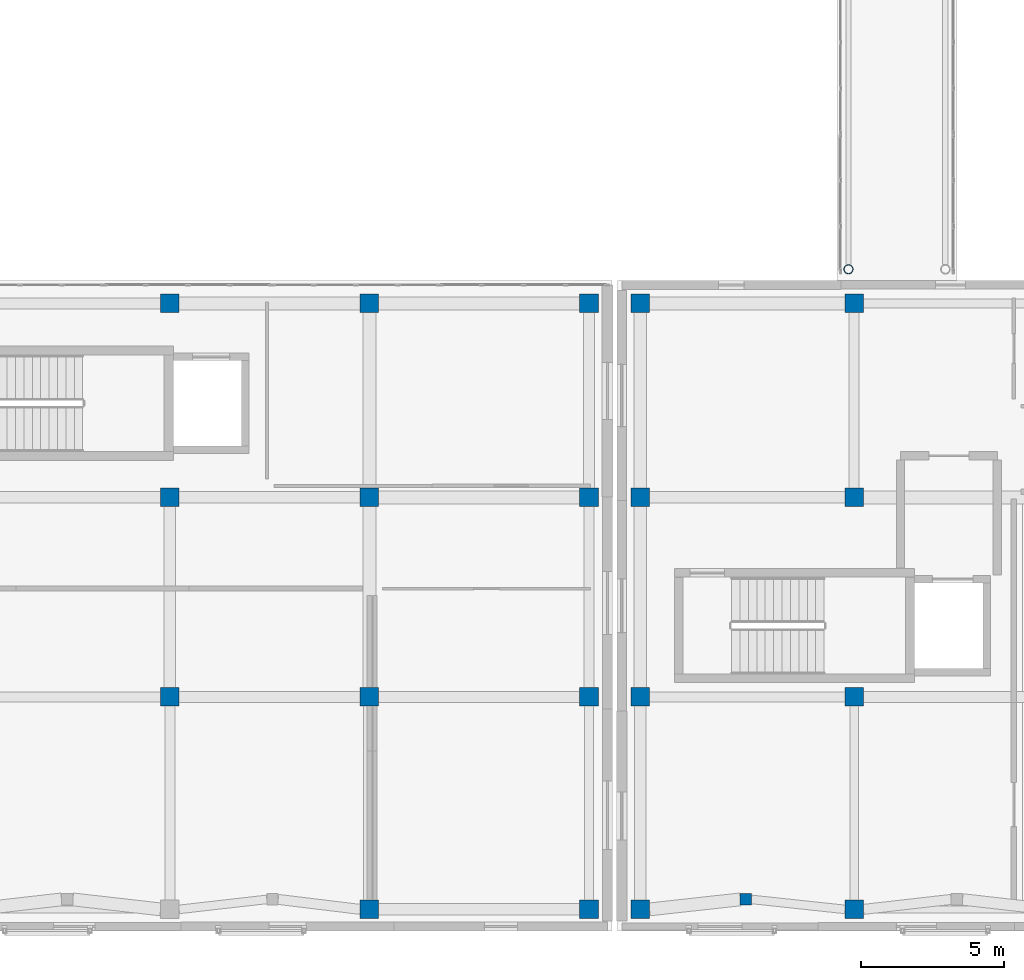
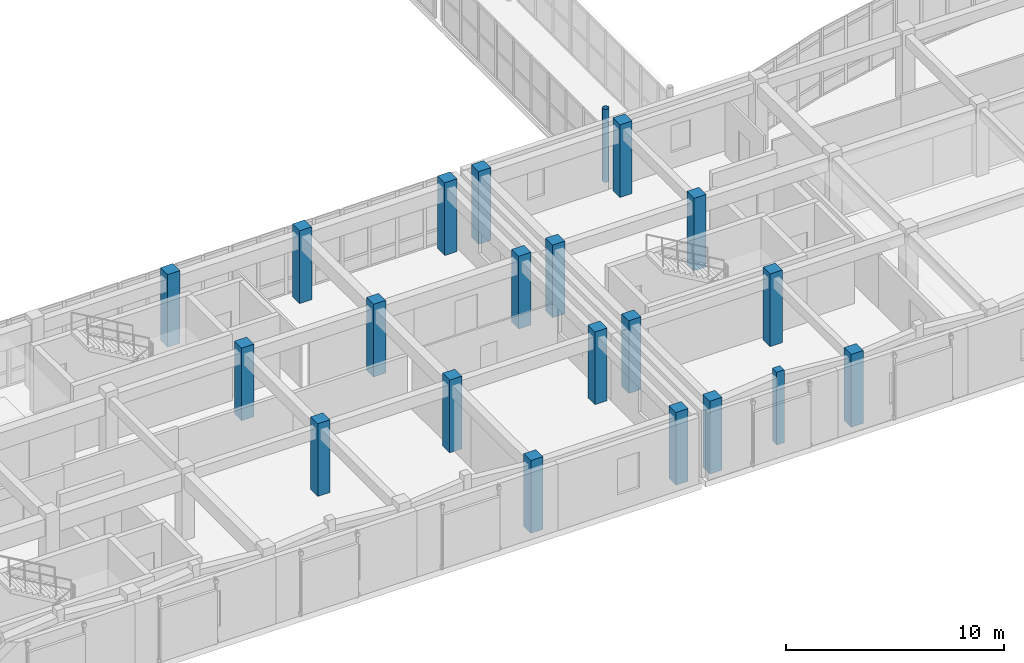
# One storey, part 2 of 146: 21 columns.
"""IFC4 building model written with IfcOpenShell, lengths in metres."""

import ifcopenshell
import ifcopenshell.guid

model = None  # the IFC model being written
_history = None  # IfcOwnerHistory: only IFC2X3 demands one
_inside = {}  # id of a spatial element -> (the spatial element, [elements in it])
_under = {}  # id of a project, library or spatial element -> (it, [spatial elements below it])
_declared = {}  # id of a project -> (the project, [libraries it declares])
_typed = {}  # id of a type object -> (the type object, [elements of that type])
_made_of = {}  # id of a material, layer set ... -> (it, [elements and type objects made of it])


def new_model(schema):
    """Start an empty IFC model of exactly this schema.

    Asked for "IFC4X3", IfcOpenShell would pick the latest addendum, in which some entities
    have other attributes; the version numbers below select the first issue.
    IFC2X3 requires an IfcOwnerHistory on every rooted entity: one is made here for all.
    """
    global model, _history
    if schema == "IFC4X3":
        model = ifcopenshell.file(schema_version=(4, 3, 0, 0))
    else:
        model = ifcopenshell.file(schema=schema)
    _inside.clear()
    _under.clear()
    _declared.clear()
    _typed.clear()
    _made_of.clear()
    _history = None
    if model.schema == "IFC2X3":
        org = make("IfcOrganization", Name="unknown")
        user = make(
            "IfcPersonAndOrganization",
            ThePerson=make("IfcPerson", FamilyName="unknown"),
            TheOrganization=org,
        )
        app = make(
            "IfcApplication",
            ApplicationDeveloper=org,
            Version="unknown",
            ApplicationFullName="unknown",
            ApplicationIdentifier="unknown",
        )
        _history = make(
            "IfcOwnerHistory",
            OwningUser=user,
            OwningApplication=app,
            ChangeAction="ADDED",
            CreationDate=0,
        )
    return model


def make(cls, **values):
    """One entity of the class cls with the attributes given. An attribute that is None is left unset."""
    return model.create_entity(
        cls, **{name: value for name, value in values.items() if value is not None}
    )


def rooted(cls, **values):
    """An entity with a GlobalId (a new one), such as an element, a storey or a relation."""
    return make(cls, GlobalId=ifcopenshell.guid.new(), OwnerHistory=_history, **values)


def si_unit(unit_type, name, prefix=None):
    """IfcSIUnit, for example si_unit("LENGTHUNIT", "METRE", prefix="MILLI")."""
    return make("IfcSIUnit", UnitType=unit_type, Prefix=prefix, Name=name)


def assignment(units):
    """IfcUnitAssignment: the units of a project."""
    return None if units is None else make("IfcUnitAssignment", Units=units)


def point(xyz):
    """IfcCartesianPoint."""
    return None if xyz is None else make("IfcCartesianPoint", Coordinates=xyz)


def direction(xyz):
    """IfcDirection."""
    return None if xyz is None else make("IfcDirection", DirectionRatios=xyz)


def frame(location, z_axis=None, x_axis=None):
    """IfcAxis2Placement3D, a coordinate frame: its origin and axes. An axis left out is left unset."""
    return make(
        "IfcAxis2Placement3D",
        Location=point(location),
        Axis=direction(z_axis),
        RefDirection=direction(x_axis),
    )


def frame_2d(location, x_axis=None):
    """IfcAxis2Placement2D, a coordinate frame in the plane: its origin and x axis."""
    return make(
        "IfcAxis2Placement2D", Location=point(location), RefDirection=direction(x_axis)
    )


def origin():
    """The frame at (0, 0, 0) with its axes left unset."""
    return frame((0.0, 0.0, 0.0))


def origin_2d():
    """The frame at (0, 0) in the plane with its x axis left unset."""
    return frame_2d((0.0, 0.0))


def place(relative_to, where):
    """IfcLocalPlacement: puts the frame where relative to a parent placement (None: the world)."""
    return make(
        "IfcLocalPlacement", PlacementRelTo=relative_to, RelativePlacement=where
    )


def context(
    kind, dimensions, precision=None, world=None, true_north=None, identifier=None
):
    """IfcGeometricRepresentationContext, for example the 3D "Model" context."""
    return make(
        "IfcGeometricRepresentationContext",
        ContextIdentifier=identifier,
        ContextType=kind,
        CoordinateSpaceDimension=dimensions,
        Precision=precision,
        WorldCoordinateSystem=world,
        TrueNorth=true_north,
    )


def subcontext(parent, identifier, kind, view, scale=None):
    """IfcGeometricRepresentationSubContext, for example "Body" below "Model"."""
    return make(
        "IfcGeometricRepresentationSubContext",
        ContextIdentifier=identifier,
        ContextType=kind,
        ParentContext=parent,
        TargetScale=scale,
        TargetView=view,
    )


def project(units=None, contexts=None):
    """IfcProject with its units and contexts."""
    return rooted(
        "IfcProject",
        Name="project",
        RepresentationContexts=contexts,
        UnitsInContext=assignment(units),
    )


def spatial(cls, under=None, at=None, **own):
    """A site, building, storey or space (cls), placed at a placement, below another one or the project."""
    s = rooted(cls, ObjectPlacement=at, **own)
    if under is not None:
        _under.setdefault(under.id(), (under, []))[1].append(s)
    return s


def profile(cls, at=None, kind="AREA", **sizes):
    """A parametric profile (cls). Its sizes go by their IFC names, for example OverallWidth=200.0."""
    return make(cls, ProfileType=kind, Position=at, **sizes)


def rectangle(**sizes):
    """IfcRectangleProfileDef."""
    return profile("IfcRectangleProfileDef", **sizes)


def hollow_circle(**sizes):
    """IfcCircleHollowProfileDef."""
    return profile("IfcCircleHollowProfileDef", **sizes)


def extrude(swept, where, along, depth):
    """IfcExtrudedAreaSolid: the profile swept, set in the frame where, extruded along a direction by depth."""
    return make(
        "IfcExtrudedAreaSolid",
        SweptArea=swept,
        Position=where,
        ExtrudedDirection=direction(along),
        Depth=depth,
    )


def shape(context_of_items, identifier, shape_type, items):
    """IfcShapeRepresentation: the items that make up one representation, for example the "Body"."""
    return make(
        "IfcShapeRepresentation",
        ContextOfItems=context_of_items,
        RepresentationIdentifier=identifier,
        RepresentationType=shape_type,
        Items=items,
    )


def material(Name=None, Category=None):
    """IfcMaterial."""
    return make("IfcMaterial", Name=Name, Category=Category)


def material_profile(
    of_material, cross_section, Name=None, Category=None, Priority=None
):
    """IfcMaterialProfile: a cross section and its material."""
    return make(
        "IfcMaterialProfile",
        Name=Name,
        Material=of_material,
        Profile=cross_section,
        Priority=Priority,
        Category=Category,
    )


def profile_set(profiles, Name=None, composite=None):
    """IfcMaterialProfileSet."""
    return make(
        "IfcMaterialProfileSet",
        Name=Name,
        MaterialProfiles=profiles,
        CompositeProfile=composite,
    )


def made_of(thing, what):
    """Note that an element or type object is made of a material, layer set ...; save() writes the relation."""
    if what is not None:
        _made_of.setdefault(what.id(), (what, []))[1].append(thing)
    return thing


def type_object(cls, material=None, **own):
    """A type object (cls), such as IfcWallType, which elements share."""
    return made_of(rooted(cls, **own), material)


def element(
    cls,
    number,
    at=None,
    inside=None,
    cuts=None,
    type_object=None,
    material=None,
    context=None,
    identifier="Body",
    shape_type=None,
    held_by="IfcProductDefinitionShape",
    body=None,
    shapes=None,
    **own,
):
    """One element of the class cls, such as IfcWall. Its Tag is "e" and its number.

    at: its placement. inside: the storey or other place that contains it. cuts: it is an
    opening in that element (IfcRelVoidsElement). A single representation is given by context,
    identifier, shape_type and body (its items); several are given by shapes. held_by: the class
    of the entity that holds the representations. save() writes the other relations.
    """
    e = rooted(cls, Tag="e%d" % number, ObjectPlacement=at, **own)
    if body is not None:
        shapes = [shape(context, identifier, shape_type, body)]
    if shapes is not None:
        e.Representation = make(held_by, Representations=shapes)
    if inside is not None:
        _inside.setdefault(inside.id(), (inside, []))[1].append(e)
    if cuts is not None:
        rooted(
            "IfcRelVoidsElement", RelatingBuildingElement=cuts, RelatedOpeningElement=e
        )
    if type_object is not None:
        _typed.setdefault(type_object.id(), (type_object, []))[1].append(e)
    return made_of(e, material)


def aggregate(whole, parts):
    """IfcRelAggregates: a whole, such as a stair, and the parts it consists of."""
    return rooted("IfcRelAggregates", RelatingObject=whole, RelatedObjects=parts)


def save(model, path):
    """Write the relations noted so far, then the file.

    IfcRelAggregates (storeys below a building ...), IfcRelContainedInSpatialStructure (elements
    in a storey), IfcRelDefinesByType, IfcRelAssociatesMaterial and IfcRelDeclares: one each for
    every whole, place, type object, material and project.
    """
    for whole, parts in _under.values():
        aggregate(whole, parts)
    for where, things in _inside.values():
        rooted(
            "IfcRelContainedInSpatialStructure",
            RelatedElements=things,
            RelatingStructure=where,
        )
    for kind, things in _typed.values():
        rooted("IfcRelDefinesByType", RelatedObjects=things, RelatingType=kind)
    for what, things in _made_of.values():
        rooted("IfcRelAssociatesMaterial", RelatedObjects=things, RelatingMaterial=what)
    for by, libraries in _declared.values():
        rooted("IfcRelDeclares", RelatingContext=by, RelatedDefinitions=libraries)
    model.write(path)


model = new_model("IFC4")

# Units and contexts
model_context = context("Model", 3, precision=1e-05, world=origin(), true_north=direction((0.0, 1.0)))
body_context = subcontext(model_context, "Body", "Model", "MODEL_VIEW")
ifc_project = project(units=[si_unit("LENGTHUNIT", "METRE"), si_unit("AREAUNIT", "SQUARE_METRE"), si_unit("VOLUMEUNIT", "CUBIC_METRE"), si_unit("PLANEANGLEUNIT", "RADIAN"), si_unit("MASSUNIT", "GRAM", prefix="KILO")], contexts=[model_context])

# Site, building, storey
site_placement = place(None, origin())
site = spatial("IfcSite", under=ifc_project, at=site_placement, CompositionType="ELEMENT")
building_placement = place(site_placement, origin())
building = spatial("IfcBuilding", under=site, at=building_placement, Name="Valcora Specialist Clinic", CompositionType="ELEMENT")
storey_placement = place(building_placement, frame((0.0, 0.0, 9.52001953125)))
storey = spatial("IfcBuildingStorey", under=building, at=storey_placement, Name="L02", CompositionType="ELEMENT", Elevation=9.52001953125)

# Columns
ifc_material_1 = material(Name="Steel ASTM A500 Grade C", Category="steel")
ifc_material_profile_1 = material_profile(ifc_material_1, hollow_circle(Radius=0.162109375, WallThickness=0.011962890625, at=origin_2d()), Name="ST-CHS-324X12")
ifc_profile_set_1 = profile_set([ifc_material_profile_1], Name="Steel ASTM A500 Grade C")
column_type_1 = type_object("IfcColumnType", Name="TY-COL-CHS324", PredefinedType="COLUMN", material=ifc_profile_set_1)
column_1_placement = place(storey_placement, frame((61.60009765625, 23.199951171875, 0.0), z_axis=(0.0, 0.0, 1.0), x_axis=(1.0, 0.0, 0.0)))
element("IfcColumn", 1, at=column_1_placement, inside=storey, type_object=column_type_1, Name="Column COL-L02-0962", PredefinedType="COLUMN", context=body_context, shape_type="SweptSolid", body=[
    extrude(hollow_circle(Radius=0.162109375, WallThickness=0.011962890625, at=origin_2d()), origin(), (0.0, 0.0, 1.0), 4.080078125),
])
ifc_material_2 = material(Name="Concrete C40/50", Category="concrete")
ifc_material_profile_2 = material_profile(ifc_material_2, rectangle(XDim=0.64990234375, YDim=0.64990234375, at=origin_2d()), Name="RC-COL-650X650")
ifc_profile_set_2 = profile_set([ifc_material_profile_2], Name="Concrete C40/50")
column_type_2 = type_object("IfcColumnType", Name="TY-COL-RC650", PredefinedType="COLUMN", material=ifc_profile_set_2)
for number, where, z_axis, x_axis, name in (
    (2, (37.800048828125, 8.199951171875, 0.0), (0.0, 0.0, 1.0), (1.0, 0.0, 0.0), "Column COL-L02-0672"),
    (3, (37.800048828125, 15.199951171875, 0.0), (0.0, 0.0, 1.0), (1.0, 0.0, 0.0), "Column COL-L02-0679"),
    (4, (37.800048828125, 22.0, 0.0), (0.0, 0.0, 1.0), (1.0, 0.0, 0.0), "Column COL-L02-0686"),
    (5, (44.800048828125, 0.75, 0.0), (0.0, 0.0, 1.0), (1.0, 0.0, 0.0), "Column COL-L02-0693"),
    (6, (44.800048828125, 8.199951171875, 0.0), (0.0, 0.0, 1.0), (1.0, 0.0, 0.0), "Column COL-L02-0700"),
    (7, (44.800048828125, 15.199951171875, 0.0), (0.0, 0.0, 1.0), (1.0, 0.0, 0.0), "Column COL-L02-0707"),
    (8, (44.800048828125, 22.0, 0.0), (0.0, 0.0, 1.0), (1.0, 0.0, 0.0), "Column COL-L02-0714"),
    (9, (52.5, 0.75, 0.0), (0.0, 0.0, 1.0), (1.0, 0.0, 0.0), "Column COL-L02-0721"),
    (10, (52.5, 8.199951171875, 0.0), (0.0, 0.0, 1.0), (1.0, 0.0, 0.0), "Column COL-L02-0726"),
    (11, (52.5, 15.199951171875, 0.0), (0.0, 0.0, 1.0), (1.0, 0.0, 0.0), "Column COL-L02-0731"),
    (12, (52.5, 22.0, 0.0), (0.0, 0.0, 1.0), (1.0, 0.0, 0.0), "Column COL-L02-0736"),
    (13, (54.300048828125, 0.75, 0.0), (0.0, 0.0, 1.0), (1.0, 0.0, 0.0), "Column COL-L02-0741"),
    (14, (54.300048828125, 8.199951171875, 0.0), (0.0, 0.0, 1.0), (1.0, 0.0, 0.0), "Column COL-L02-0746"),
    (15, (54.300048828125, 15.199951171875, 0.0), (0.0, 0.0, 1.0), (1.0, 0.0, 0.0), "Column COL-L02-0752"),
    (16, (54.300048828125, 22.0, 0.0), (0.0, 0.0, 1.0), (1.0, 0.0, 0.0), "Column COL-L02-0758"),
    (17, (61.800048828125, 0.75, 0.0), (0.0, 0.0, 1.0), (1.0, 0.0, 0.0), "Column COL-L02-0764"),
    (18, (61.800048828125, 8.199951171875, 0.0), (0.0, 0.0, 1.0), (1.0, 0.0, 0.0), "Column COL-L02-0769"),
    (19, (61.800048828125, 15.199951171875, 0.0), (0.0, 0.0, 1.0), (1.0, 0.0, 0.0), "Column COL-L02-0775"),
    (20, (61.800048828125, 22.0, 0.0), (0.0, 0.0, 1.0), (1.0, 0.0, 0.0), "Column COL-L02-0781"),
):
    element("IfcColumn", number, at=place(storey_placement, frame(where, z_axis=z_axis, x_axis=x_axis)), inside=storey, type_object=column_type_2, Name=name, PredefinedType="COLUMN", context=body_context, shape_type="SweptSolid", body=[
        extrude(rectangle(XDim=0.64990234375, YDim=0.64990234375, at=origin_2d()), origin(), (0.0, 0.0, 1.0), 4.080078125),
    ])
ifc_material_profile_3 = material_profile(ifc_material_2, rectangle(XDim=0.39990234375, YDim=0.39990234375, at=origin_2d()), Name="RC-COL-400X400")
ifc_profile_set_3 = profile_set([ifc_material_profile_3], Name="Concrete C40/50")
column_type_3 = type_object("IfcColumnType", Name="TY-PIL-RC400", PredefinedType="PILASTER", material=ifc_profile_set_3)
column_2_placement = place(storey_placement, frame((58.0, 1.10009765625, 0.0), z_axis=(0.0, 0.0, 1.0), x_axis=(1.0, 0.0, 0.0)))
element("IfcColumn", 21, at=column_2_placement, inside=storey, type_object=column_type_3, Name="Column COL-L02-1057", PredefinedType="PILASTER", context=body_context, shape_type="SweptSolid", body=[
    extrude(rectangle(XDim=0.39990234375, YDim=0.39990234375, at=origin_2d()), origin(), (0.0, 0.0, 1.0), 4.080078125),
])

save(model, "model.ifc")
